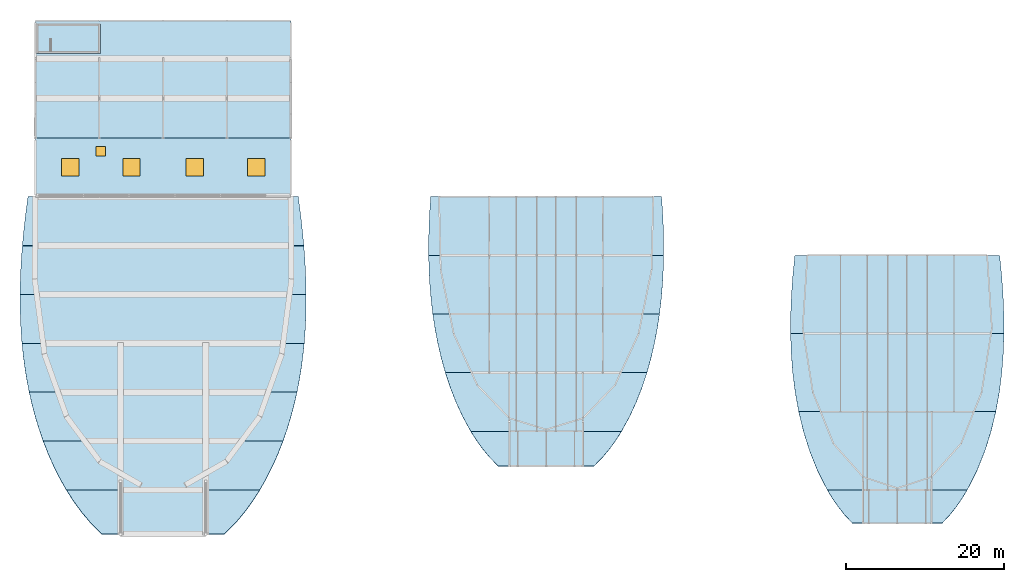
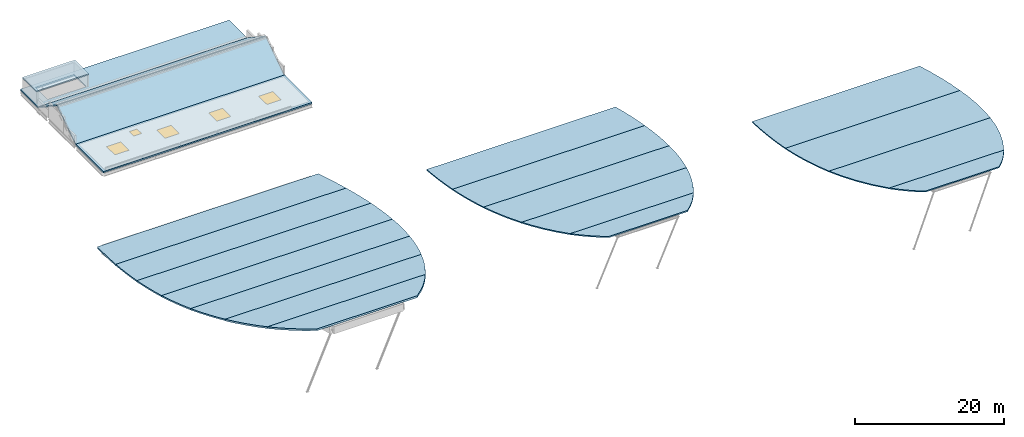
# One storey, part 3 of 9: 21 slabs, 5 doors, 5 openings.
"""IFC4 building model written with IfcOpenShell, lengths in metres."""

from ifc_helpers import new_model, si_unit, direction, frame, origin, origin_2d, place, context, subcontext, project, spatial, polyline, rectangle, outline, extrude, material, layer, layer_set, type_object, element, fill, save


model = new_model("IFC4")

# Units and contexts
model_context = context("Model", 3, precision=1e-05, world=origin(), true_north=direction((0.0, 1.0)))
body_context = subcontext(model_context, "Body", "Model", "MODEL_VIEW")
ifc_project = project(units=[si_unit("LENGTHUNIT", "METRE"), si_unit("AREAUNIT", "SQUARE_METRE"), si_unit("VOLUMEUNIT", "CUBIC_METRE"), si_unit("PLANEANGLEUNIT", "RADIAN"), si_unit("MASSUNIT", "GRAM", prefix="KILO")], contexts=[model_context])

# Site, building, storey
site_placement = place(None, origin())
site = spatial("IfcSite", under=ifc_project, at=site_placement, CompositionType="ELEMENT")
building_placement = place(site_placement, origin())
building = spatial("IfcBuilding", under=site, at=building_placement, Name="Kaelora Sail Theatre", CompositionType="ELEMENT")
storey_placement = place(building_placement, frame((0.0, 0.0, 33.60009765625)))
storey = spatial("IfcBuildingStorey", under=building, at=storey_placement, Name="ROOF", CompositionType="ELEMENT", Elevation=33.60009765625)

# Slabs
ifc_material_1 = material(Name="Concrete C40/50", Category="concrete")
ifc_layer_1 = layer(ifc_material_1, 0.1650390625)
ifc_layer_set_1 = layer_set([ifc_layer_1], Name="Concrete C40/50")
slab_type_1 = type_object("IfcSlabType", Name="STR-SLB-SL-BB165", PredefinedType="ROOF", material=ifc_layer_set_1)
slab_1_placement = place(storey_placement, frame((148.14990234375, 53.580078125, -21.0), z_axis=(0.0, 0.180436088221, 0.983586711006), x_axis=(0.097810730997, -0.978870446763, 0.179570903422)))
element("IfcSlab", 1, at=slab_1_placement, inside=storey, type_object=slab_type_1, Name="Black-Box Theatre concave sail roof deck bay 1", PredefinedType="ROOF", context=body_context, shape_type="SweptSolid", body=[
    extrude(outline(polyline([(0.0, 0.0), (2.5334923054824032, -1.5612511283791264e-17), (5.0603182915051415, -0.06827887287829654), (7.579837314503379, -0.21335974679911485), (10.0905485073463, -0.44515310690959475), (7.441086003716011, -27.402915263741725), (4.933288118778767, -27.141479566174777), (2.4337324188063243, -26.793275789683346), (-0.058038354056286726, -26.368316987410726), (-2.5430790059270425, -25.87533089971244), (0.0, 0.0)])), origin(), (0.0, 0.0, -1.0), 0.1650390625),
])
slab_2_placement = place(storey_placement, frame((148.69384765625, 43.659912109375, -19.18017578125), z_axis=(0.0, 0.188128445152, 0.982144433434), x_axis=(-0.0327590822, -0.981617294154, 0.188027472332)))
element("IfcSlab", 2, at=slab_2_placement, inside=storey, type_object=slab_type_1, Name="Black-Box Theatre concave sail roof deck bay 2", PredefinedType="ROOF", context=body_context, shape_type="SweptSolid", body=[
    extrude(outline(polyline([(0.0, 0.0), (2.5264343906343507, 9.540979117872439e-18), (5.056427812415889, -0.10858426717964294), (7.590342249162936, -0.3381987952044519), (10.128749380532879, -0.7034811501885541), (10.94831027659057, -25.707875780974067), (8.439271150552022, -26.23859663741389), (5.925831140179801, -26.63364665765849), (3.4083863023756478, -26.907913435883028), (0.8873664377787024, -27.073107927749586), (0.0, 0.0)])), origin(), (0.0, 0.0, -1.0), 0.1650390625),
])
slab_3_placement = place(storey_placement, frame((147.658935546875, 33.739990234375, -17.280029296875), z_axis=(0.0, 0.195733609948, 0.980657103139), x_axis=(-0.231242388175, -0.954077539884, 0.19042847949)))
element("IfcSlab", 3, at=slab_3_placement, inside=storey, type_object=slab_type_1, Name="Black-Box Theatre concave sail roof deck bay 3", PredefinedType="ROOF", context=body_context, shape_type="SweptSolid", body=[
    extrude(outline(polyline([(0.0, 0.0), (2.5993254242554182, 2.42861286636753e-17), (5.239514782868831, -0.17171842507760415), (7.928548252732354, -0.5491432332766651), (10.68012463084532, -1.1894954825057786), (14.787894993646654, -18.47194134114134), (12.618715216221673, -20.281881301718084), (10.387085513203251, -21.828871720724052), (8.106518716278718, -23.170177857149298), (5.785180967652191, -24.339743467956207), (0.0, 0.0)])), origin(), (0.0, 0.0, -1.0), 0.1650390625),
])
slab_4_placement = place(storey_placement, frame((144.031982421875, 23.820068359375, -15.300048828125), z_axis=(0.0, 0.213957377895, 0.976842996824), x_axis=(-0.511512201415, -0.839377756369, 0.18384844279)))
element("IfcSlab", 4, at=slab_4_placement, inside=storey, type_object=slab_type_1, Name="Black-Box Theatre concave sail roof deck bay 4", PredefinedType="ROOF", context=body_context, shape_type="SweptSolid", body=[
    extrude(outline(polyline([(0.0, 0.0), (1.250982041787236, -1.7694179454963432e-16), (2.544673354298073, -0.07174619060108336), (3.8930625047531704, -0.23537785337548342), (5.319047535023959, -0.5298270512273124), (11.156355843308408, -10.335769119257806), (10.735412365036277, -11.729663026544916), (10.236463154528355, -12.992983376836502), (9.68281610607617, -14.164418254954771), (9.086459786900386, -15.264106942471958), (0.0, 0.0)])), origin(), (0.0, 0.0, -1.0), 0.1650390625),
])
ifc_material_2 = material(Name="Concrete C40/50", Category="concrete")
ifc_layer_2 = layer(ifc_material_2, 0.195068359375)
ifc_layer_set_2 = layer_set([ifc_layer_2], Name="Concrete C40/50")
slab_type_2 = type_object("IfcSlabType", Name="STR-SLB-SL-RF195", PredefinedType="ROOF", material=ifc_layer_set_2)
for number, where, z_axis, x_axis, name in (
    (5, (25.800048828125, 68.4599609375, 0.0), (0.0, -0.55968861144, 0.828702997596), (1.0, 0.0, 0.0), "Fly Tower pitched stage-house roof south slope"),
    (6, (25.800048828125, 73.580078125, 3.349853515625), (0.0, 0.55968861144, 0.828702997596), (1.0, 0.0, 0.0), "Fly Tower pitched stage-house roof north slope"),
):
    element("IfcSlab", number, at=place(storey_placement, frame(where, z_axis=z_axis, x_axis=x_axis)), inside=storey, type_object=slab_type_2, Name=name, PredefinedType="ROOF", context=body_context, shape_type="SweptSolid", body=[
        extrude(outline(polyline([(0.0, 0.0), (32.39990234375, 0.0), (32.39990234375, 5.985209359552182), (0.0, 5.985209359552182), (0.0, 0.0)])), origin(), (0.0, 0.0, -1.0), 0.195068359375),
    ])
slab_5_placement = place(storey_placement, frame((0.0, 0.0, 1.949951171875)))
element("IfcSlab", 7, at=slab_5_placement, inside=storey, type_object=slab_type_2, Name="Stair ST-K1 roof headhouse cap slab", PredefinedType="ROOF", context=body_context, shape_type="SweptSolid", body=[
    extrude(outline(polyline([(25.89990234375, 79.199951171875), (34.050048828125, 79.199951171875), (34.050048828125, 82.949951171875), (25.89990234375, 82.949951171875), (25.89990234375, 79.199951171875)])), origin(), (0.0, 0.0, 1.0), 0.195068359375),
])

# Slab, openings, doors
ifc_material_3 = material(Name="Concrete C40/50", Category="concrete")
ifc_layer_3 = layer(ifc_material_3, 0.235107421875)
ifc_layer_set_3 = layer_set([ifc_layer_3], Name="Concrete C40/50")
slab_type_3 = type_object("IfcSlabType", Name="STR-SLB-SL-RF235", PredefinedType="ROOF", material=ifc_layer_set_3)
slab_6_placement = place(storey_placement, frame((0.0, 0.0, -0.235107421875)))
slab_6 = element("IfcSlab", 8, at=slab_6_placement, inside=storey, type_object=slab_type_3, Name="Fly Tower south smoke-vent collar roof slab", PredefinedType="ROOF", context=body_context, shape_type="SweptSolid", body=[
    extrude(outline(polyline([(25.800048828125, 61.034912109375), (58.199951171875, 61.034912109375), (58.199951171875, 68.4599609375), (25.800048828125, 68.4599609375), (25.800048828125, 61.034912109375)])), origin(), (0.0, 0.0, 1.0), 0.235107421875),
])
opening_1_placement = place(slab_6_placement, frame((30.199951171875, 64.75, 0.0)))
opening_1 = element("IfcOpeningElement", 9, at=opening_1_placement, cuts=slab_6, Name="Opening RH-02", PredefinedType="OPENING", context=body_context, shape_type="SweptSolid", body=[
    extrude(rectangle(XDim=2.199951171875, YDim=2.199951171875, at=origin_2d()), origin(), (0.0, 0.0, 1.0), 0.235107421875),
])
opening_2_placement = place(slab_6_placement, frame((38.0, 64.75, 0.0)))
opening_2 = element("IfcOpeningElement", 10, at=opening_2_placement, cuts=slab_6, Name="Opening RH-02", PredefinedType="OPENING", context=body_context, shape_type="SweptSolid", body=[
    extrude(rectangle(XDim=2.199951171875, YDim=2.199951171875, at=origin_2d()), origin(), (0.0, 0.0, 1.0), 0.235107421875),
])
opening_3_placement = place(slab_6_placement, frame((46.0, 64.75, 0.0)))
opening_3 = element("IfcOpeningElement", 11, at=opening_3_placement, cuts=slab_6, Name="Opening RH-02", PredefinedType="OPENING", context=body_context, shape_type="SweptSolid", body=[
    extrude(rectangle(XDim=2.199951171875, YDim=2.199951171875, at=origin_2d()), origin(), (0.0, 0.0, 1.0), 0.235107421875),
])
opening_4_placement = place(slab_6_placement, frame((53.800048828125, 64.75, 0.0)))
opening_4 = element("IfcOpeningElement", 12, at=opening_4_placement, cuts=slab_6, Name="Opening RH-02", PredefinedType="OPENING", context=body_context, shape_type="SweptSolid", body=[
    extrude(rectangle(XDim=2.199951171875, YDim=2.199951171875, at=origin_2d()), origin(), (0.0, 0.0, 1.0), 0.235107421875),
])
opening_5_placement = place(slab_6_placement, frame((34.10009765625, 66.800048828125, 0.0)))
opening_5 = element("IfcOpeningElement", 13, at=opening_5_placement, cuts=slab_6, Name="Opening RH-01", PredefinedType="OPENING", context=body_context, shape_type="SweptSolid", body=[
    extrude(rectangle(XDim=1.199951171875, YDim=1.199951171875, at=origin_2d()), origin(), (0.0, 0.0, 1.0), 0.235107421875),
])
ifc_material_4 = material(Name="Insulated maintenance roof access hatch", Category="steel")
door_type_1 = type_object("IfcDoorType", Name="ARC-DR-RH-01", OperationType="NOTDEFINED", PredefinedType="TRAPDOOR", material=ifc_material_4)
door_1_placement = place(opening_5_placement, frame((0.0, 0.0, 0.190185546875)))
door_1 = element("IfcDoor", 14, at=door_1_placement, inside=storey, type_object=door_type_1, Name="Stage-House Collar Maintenance Roof Access Hatch (+33.60 m)", OperationType="SINGLE_SWING_LEFT", OverallHeight=1.199951171875, OverallWidth=1.199951171875, PredefinedType="TRAPDOOR", context=body_context, shape_type="SweptSolid", body=[
    extrude(rectangle(XDim=1.199951171875, YDim=1.199951171875, at=origin_2d()), origin(), (0.0, 0.0, 1.0), 0.044921875),
])
fill(opening_5, door_1)
ifc_material_5 = material(Name="Automatic acoustic fly-tower smoke hatch", Category="steel")
door_type_2 = type_object("IfcDoorType", Name="ARC-DR-RH-02", OperationType="NOTDEFINED", PredefinedType="TRAPDOOR", material=ifc_material_5)
door_2_placement = place(opening_1_placement, frame((0.0, 0.0, 0.190185546875)))
door_2 = element("IfcDoor", 15, at=door_2_placement, inside=storey, type_object=door_type_2, Name="Stage-House Automatic Smoke-Vent Roof Hatch 1 (+33.60 m)", OperationType="SINGLE_SWING_LEFT", OverallHeight=2.199951171875, OverallWidth=2.199951171875, PredefinedType="TRAPDOOR", context=body_context, shape_type="SweptSolid", body=[
    extrude(rectangle(XDim=2.199951171875, YDim=2.199951171875, at=origin_2d()), origin(), (0.0, 0.0, 1.0), 0.044921875),
])
fill(opening_1, door_2)
door_3_placement = place(opening_2_placement, frame((0.0, 0.0, 0.190185546875)))
door_3 = element("IfcDoor", 16, at=door_3_placement, inside=storey, type_object=door_type_2, Name="Stage-House Automatic Smoke-Vent Roof Hatch 2 (+33.60 m)", OperationType="SINGLE_SWING_LEFT", OverallHeight=2.199951171875, OverallWidth=2.199951171875, PredefinedType="TRAPDOOR", context=body_context, shape_type="SweptSolid", body=[
    extrude(rectangle(XDim=2.199951171875, YDim=2.199951171875, at=origin_2d()), origin(), (0.0, 0.0, 1.0), 0.044921875),
])
fill(opening_2, door_3)
door_4_placement = place(opening_3_placement, frame((0.0, 0.0, 0.190185546875)))
door_4 = element("IfcDoor", 17, at=door_4_placement, inside=storey, type_object=door_type_2, Name="Stage-House Automatic Smoke-Vent Roof Hatch 3 (+33.60 m)", OperationType="SINGLE_SWING_LEFT", OverallHeight=2.199951171875, OverallWidth=2.199951171875, PredefinedType="TRAPDOOR", context=body_context, shape_type="SweptSolid", body=[
    extrude(rectangle(XDim=2.199951171875, YDim=2.199951171875, at=origin_2d()), origin(), (0.0, 0.0, 1.0), 0.044921875),
])
fill(opening_3, door_4)
door_5_placement = place(opening_4_placement, frame((0.0, 0.0, 0.190185546875)))
door_5 = element("IfcDoor", 18, at=door_5_placement, inside=storey, type_object=door_type_2, Name="Stage-House Automatic Smoke-Vent Roof Hatch 4 (+33.60 m)", OperationType="SINGLE_SWING_LEFT", OverallHeight=2.199951171875, OverallWidth=2.199951171875, PredefinedType="TRAPDOOR", context=body_context, shape_type="SweptSolid", body=[
    extrude(rectangle(XDim=2.199951171875, YDim=2.199951171875, at=origin_2d()), origin(), (0.0, 0.0, 1.0), 0.044921875),
])
fill(opening_4, door_5)

# Slabs
slab_7_placement = place(storey_placement, frame((0.0, 0.0, -0.235107421875)))
element("IfcSlab", 19, at=slab_7_placement, inside=storey, type_object=slab_type_3, Name="Fly Tower north stair-headhouse collar roof slab", PredefinedType="ROOF", context=body_context, shape_type="SweptSolid", body=[
    extrude(outline(polyline([(25.800048828125, 78.5400390625), (58.199951171875, 78.5400390625), (58.199951171875, 83.324951171875), (25.800048828125, 83.324951171875), (25.800048828125, 78.5400390625)]), holes=[polyline([(27.7548828125, 79.449951171875), (33.800048828125, 79.449951171875), (33.800048828125, 82.699951171875), (27.7548828125, 82.699951171875), (27.7548828125, 79.449951171875)])]), origin(), (0.0, 0.0, 1.0), 0.235107421875),
])
ifc_material_6 = material(Name="Concrete C50/60", Category="concrete")
ifc_layer_4 = layer(ifc_material_6, 0.22509765625)
ifc_layer_set_4 = layer_set([ifc_layer_4], Name="Concrete C50/60")
slab_type_4 = type_object("IfcSlabType", Name="STR-SLB-SL-SH225", PredefinedType="ROOF", material=ifc_layer_set_4)
slab_8_placement = place(storey_placement, frame((59.8623046875, 54.820068359375, -10.860107421875), z_axis=(0.0, 0.186957447778, 0.982368012875), x_axis=(0.074066079789, -0.979669777853, 0.186443938455)))
element("IfcSlab", 20, at=slab_8_placement, inside=storey, type_object=slab_type_4, Name="Main Theatre concave concrete shell roof bay 2", PredefinedType="ROOF", context=body_context, shape_type="SweptSolid", body=[
    extrude(outline(polyline([(0.0, 0.0), (1.5822020057469575, 6.938893903907228e-18), (3.162388120586324, -0.027758966672338847), (4.740304564587677, -0.08546136916056735), (6.315649183864753, -0.17455364473827018), (3.626160826604025, -36.38682846197111), (2.054939026221454, -36.24222501437942), (0.4858106961794429, -36.066196166282424), (-1.0811390001038785, -35.86021712103884), (-2.6459817684002847, -35.62648587045362), (0.0, 0.0)])), origin(), (0.0, 0.0, -1.0), 0.22509765625),
])
slab_9_placement = place(storey_placement, frame((60.156005859375, 48.6201171875, -9.68017578125), z_axis=(0.0, 0.194585932951, 0.980885474812), x_axis=(-0.003707786475, -0.980878732339, 0.194584595394)))
element("IfcSlab", 21, at=slab_9_placement, inside=storey, type_object=slab_type_4, Name="Main Theatre concave concrete shell roof bay 3", PredefinedType="ROOF", context=body_context, shape_type="SweptSolid", body=[
    extrude(outline(polyline([(0.0, 0.0), (1.580289220871985, 2.981555974335137e-19), (3.1606630980501174, -0.035644462377676114), (4.741224790535635, -0.10913028536765826), (6.3218856228682165, -0.22216679388428565), (6.454701503534556, -36.04272134782501), (4.874922356755396, -36.167476173501875), (3.294949058119697, -36.25268066593876), (1.7148829561860852, -36.30004344547668), (0.13463718593685603, -36.31176211492359), (0.0, 0.0)])), origin(), (0.0, 0.0, -1.0), 0.22509765625),
])
slab_10_placement = place(storey_placement, frame((59.910400390625, 42.419921875, -8.4501953125), z_axis=(0.0, 0.20522459442, 0.978714905294), x_axis=(-0.101079316631, -0.973702289996, 0.204173510049)))
element("IfcSlab", 22, at=slab_10_placement, inside=storey, type_object=slab_type_4, Name="Main Theatre concave concrete shell roof bay 4", PredefinedType="ROOF", context=body_context, shape_type="SweptSolid", body=[
    extrude(outline(polyline([(0.0, 0.0), (1.5917071586768659, -1.734723475976807e-18), (3.1880935078827126, -0.044186933478497906), (4.789217950055616, -0.13500879056619156), (6.3953766160060175, -0.2753802539886558), (9.830049820906448, -34.081327846567255), (8.284943457041974, -34.54186680506745), (6.734802869400003, -34.952856157232866), (5.179924188790976, -35.3172105857891), (3.620742064127551, -35.63733990514806), (0.0, 0.0)])), origin(), (0.0, 0.0, -1.0), 0.22509765625),
])
slab_11_placement = place(storey_placement, frame((58.989990234375, 36.219970703125, -7.150146484375), z_axis=(0.0, 0.218785249052, 0.975773034469), x_axis=(-0.217796480625, -0.952348829454, 0.213533135756)))
element("IfcSlab", 23, at=slab_11_placement, inside=storey, type_object=slab_type_4, Name="Main Theatre concave concrete shell roof bay 5", PredefinedType="ROOF", context=body_context, shape_type="SweptSolid", body=[
    extrude(outline(polyline([(0.0, 0.0), (1.627630467134942, -3.8163916471489756e-17), (3.2672060779658163, -0.05486788044668226), (4.920147919154069, -0.16853899558913096), (6.587339075152536, -0.34581919343151296), (13.216094070424472, -30.050736644806122), (11.78243859384616, -30.919981485839738), (10.334638066684082, -31.725593977250927), (8.873936323241507, -32.472299464467916), (7.4007201577996735, -33.16426410765916), (0.0, 0.0)])), origin(), (0.0, 0.0, -1.0), 0.22509765625),
])
ifc_material_7 = material(Name="Concrete C50/60", Category="concrete")
ifc_layer_5 = layer(ifc_material_7, 0.264892578125)
ifc_layer_set_5 = layer_set([ifc_layer_5], Name="Concrete C50/60")
slab_type_5 = type_object("IfcSlabType", Name="STR-SLB-SL-SH265", PredefinedType="ROOF", material=ifc_layer_set_5)
slab_12_placement = place(storey_placement, frame((59.14990234375, 61.02001953125, -12.0), z_axis=(0.0, 0.180824569371, 0.983515365976), x_axis=(0.13281013279, -0.974802892927, 0.179222734522)))
element("IfcSlab", 24, at=slab_12_placement, inside=storey, type_object=slab_type_5, Name="Main Theatre concave concrete shell roof bay 1", PredefinedType="ROOF", context=body_context, shape_type="SweptSolid", body=[
    extrude(outline(polyline([(0.0, 0.0), (1.5901018709091204, 3.122502256758253e-17), (3.1774476721680585, -0.020568121902243268), (4.761551351200273, -0.06385614012293205), (6.342639253135856, -0.13112599763850444), (1.598049138172748, -35.539268841302764), (0.05502742175850581, -35.1879169236315), (-1.4845900506848853, -34.81263522011813), (-3.021353867775774, -34.41458156683354), (-4.555361615216479, -33.995959791646705), (0.0, 0.0)])), origin(), (0.0, 0.0, -1.0), 0.264892578125),
])
slab_13_placement = place(storey_placement, frame((57.2177734375, 30.02001953125, -5.760009765625), z_axis=(0.0, 0.233666840038, 0.972316721993), x_axis=(-0.355937916426, -0.908639314667, 0.218363906112)))
element("IfcSlab", 25, at=slab_13_placement, inside=storey, type_object=slab_type_5, Name="Main Theatre concave concrete shell roof bay 6", PredefinedType="ROOF", context=body_context, shape_type="SweptSolid", body=[
    extrude(outline(polyline([(0.0, 0.0), (1.7058529208473245, -9.367506770274758e-17), (3.43982749963205, -0.07367271268284213), (5.205211444203951, -0.23047715880861974), (7.007488562615278, -0.48347715386704937), (15.743435520200787, -23.419573460759977), (14.566135329263396, -24.807440914614055), (13.352385636026947, -26.098943833017834), (12.106782905462957, -27.30748400449632), (10.833165139962595, -28.44231085250672), (0.0, 0.0)])), origin(), (0.0, 0.0, -1.0), 0.264892578125),
])
slab_14_placement = place(storey_placement, frame((54.271728515625, 23.820068359375, -4.27001953125), z_axis=(0.0, 0.253887619027, 0.967233724032), x_axis=(-0.527447204805, -0.821749980927, 0.215699826122)))
element("IfcSlab", 26, at=slab_14_placement, inside=storey, type_object=slab_type_5, Name="Main Theatre concave concrete shell roof bay 7", PredefinedType="ROOF", context=body_context, shape_type="SweptSolid", body=[
    extrude(outline(polyline([(0.0, 0.0), (1.7038324071826108, 2.42861286636753e-16), (3.472493693380286, -0.10487109583716388), (5.324651436741022, -0.34411694467143583), (7.296585670194251, -0.7759630920083322), (15.486697271761868, -13.968219894564179), (14.998980929564706, -15.927083974991485), (14.391784020202202, -17.693164039919512), (13.701195975857363, -19.324803964977878), (12.945377807389585, -20.851821898068287), (0.0, 0.0)])), origin(), (0.0, 0.0, -1.0), 0.264892578125),
])
ifc_material_8 = material(Name="Concrete C40/50", Category="concrete")
ifc_layer_6 = layer(ifc_material_8, 0.175048828125)
ifc_layer_set_6 = layer_set([ifc_layer_6], Name="Concrete C40/50")
slab_type_6 = type_object("IfcSlabType", Name="STR-SLB-SL-SS175", PredefinedType="ROOF", material=ifc_layer_set_6)
slab_15_placement = place(storey_placement, frame((105.25, 61.02001953125, -17.2001953125), z_axis=(0.0, 0.179831194803, 0.983697484685), x_axis=(0.067884341118, -0.981428288815, 0.179416359744)))
element("IfcSlab", 27, at=slab_15_placement, inside=storey, type_object=slab_type_6, Name="Studio Theatre concave sail roof deck bay 1", PredefinedType="ROOF", context=body_context, shape_type="SweptSolid", body=[
    extrude(outline(polyline([(0.0, 0.0), (1.8953135179143927, -1.474514954580286e-17), (3.7876859772616487, -0.03968681970902657), (5.6773539083455935, -0.1220130142927047), (7.563710250547902, -0.25011844500590114), (5.53886421147337, -30.00919227264902), (3.652541015921998, -29.880599687054257), (1.769137801865024, -29.706201219854663), (-0.11116927654139946, -29.489190023255734), (-1.9890145094123335, -29.23245940067062), (0.0, 0.0)])), origin(), (0.0, 0.0, -1.0), 0.175048828125),
])
slab_16_placement = place(storey_placement, frame((105.513916015625, 53.580078125, -15.840087890625), z_axis=(0.0, 0.184909921087, 0.982755473698), x_axis=(-0.025659777515, -0.98243188544, 0.184849036481)))
element("IfcSlab", 28, at=slab_16_placement, inside=storey, type_object=slab_type_6, Name="Studio Theatre concave sail roof deck bay 2", PredefinedType="ROOF", context=body_context, shape_type="SweptSolid", body=[
    extrude(outline(polyline([(0.0, 0.0), (1.8933907102562118, -3.903127820947816e-18), (3.787849592148511, -0.0527243262972684), (5.684046840570476, -0.16206331279579128), (7.581758843769019, -0.33217445687217795), (8.320110171344412, -29.097358134779338), (6.433624320808879, -29.364602936697047), (4.545533457178174, -29.57107789780809), (2.656274188405461, -29.720923568818357), (0.7653767866090027, -29.818059543430884), (0.0, 0.0)])), origin(), (0.0, 0.0, -1.0), 0.175048828125),
])
slab_17_placement = place(storey_placement, frame((104.9873046875, 46.139892578125, -14.440185546875), z_axis=(0.0, 0.19259012661, 0.981279289057), x_axis=(-0.148403219421, -0.970413520548, 0.190457563785)))
element("IfcSlab", 29, at=slab_17_placement, inside=storey, type_object=slab_type_6, Name="Studio Theatre concave sail roof deck bay 3", PredefinedType="ROOF", context=body_context, shape_type="SweptSolid", body=[
    extrude(outline(polyline([(0.0, 0.0), (1.9165610371141346, -3.469446951953614e-17), (3.843974749230946, -0.0707055583986171), (5.782673082992141, -0.21822371216063258), (7.7344444654691635, -0.45092668095130883), (11.53166111865286, -25.754756640080647), (9.734162418865177, -26.550093440060284), (7.924157501945817, -27.260160363487596), (6.102357897400499, -27.893244360271094), (4.270251915088819, -28.45603456717659), (0.0, 0.0)])), origin(), (0.0, 0.0, -1.0), 0.175048828125),
])
slab_18_placement = place(storey_placement, frame((103.3935546875, 38.699951171875, -12.97998046875), z_axis=(0.0, 0.200139083558, 0.979767496518), x_axis=(-0.308868362925, -0.931861565629, 0.190353242388)))
element("IfcSlab", 30, at=slab_18_placement, inside=storey, type_object=slab_type_6, Name="Studio Theatre concave sail roof deck bay 4", PredefinedType="ROOF", context=body_context, shape_type="SweptSolid", body=[
    extrude(outline(polyline([(0.0, 0.0), (1.9958505050055086, 1.1796119636642288e-16), (4.026088029046872, -0.10511422210473075), (6.096487434397288, -0.33451600983642416), (8.217289143954636, -0.7185064186808883), (14.13035376280224, -18.92672971859443), (12.63973098609842, -20.483262450952257), (11.099218784428961, -21.885553389465443), (9.518107229524324, -23.163442138403056), (7.903063666113922, -24.33606890196313), (0.0, 0.0)])), origin(), (0.0, 0.0, -1.0), 0.175048828125),
])
slab_19_placement = place(storey_placement, frame((100.172119140625, 31.260009765625, -11.460205078125), z_axis=(0.0, 0.217447853165, 0.976071939538), x_axis=(-0.527573736698, -0.829182133554, 0.18472396093)))
element("IfcSlab", 31, at=slab_19_placement, inside=storey, type_object=slab_type_6, Name="Studio Theatre concave sail roof deck bay 5", PredefinedType="ROOF", context=body_context, shape_type="SweptSolid", body=[
    extrude(outline(polyline([(0.0, 0.0), (1.3267361947461753, 3.122502256758253e-17), (2.7021696829129644, -0.07896562052731163), (4.141221380198407, -0.25981817401285834), (5.671648991707206, -0.5882576466940791), (12.087156865535576, -10.918630165686743), (11.702939869963629, -12.435840777257681), (11.227199690443296, -13.806130709458376), (10.688207570957697, -15.07401885307687), (10.100023086716288, -16.26324883207472), (0.0, 0.0)])), origin(), (0.0, 0.0, -1.0), 0.175048828125),
])

save(model, "model.ifc")
